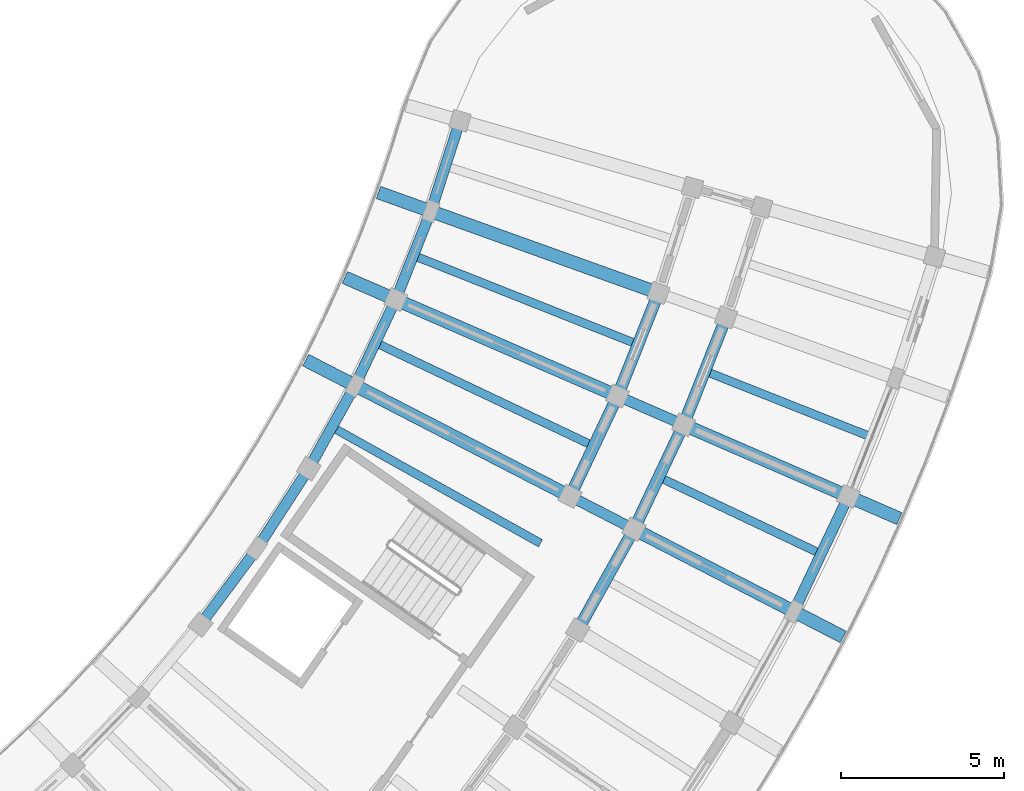
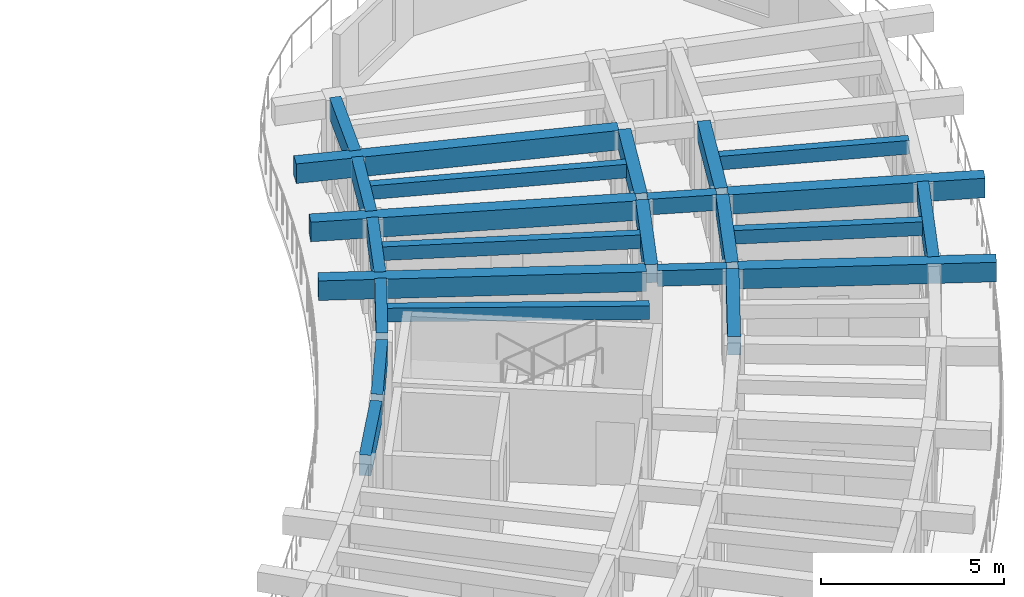
# One storey, part 32 of 96: 24 beams.
"""IFC4 building model written with IfcOpenShell, lengths in metres."""

from ifc_helpers import new_model, si_unit, direction, frame, origin, origin_2d, place, context, subcontext, project, spatial, rectangle, extrude, material, material_profile, profile_set, type_object, element, save


model = new_model("IFC4")

# Units and contexts
model_context = context("Model", 3, precision=1e-05, world=origin(), true_north=direction((0.0, 1.0)))
body_context = subcontext(model_context, "Body", "Model", "MODEL_VIEW")
ifc_project = project(units=[si_unit("LENGTHUNIT", "METRE"), si_unit("AREAUNIT", "SQUARE_METRE"), si_unit("VOLUMEUNIT", "CUBIC_METRE"), si_unit("PLANEANGLEUNIT", "RADIAN"), si_unit("MASSUNIT", "GRAM", prefix="KILO")], contexts=[model_context])

# Site, building, storey
site_placement = place(None, origin())
site = spatial("IfcSite", under=ifc_project, at=site_placement, CompositionType="ELEMENT")
building_placement = place(site_placement, origin())
building = spatial("IfcBuilding", under=site, at=building_placement, Name="Tanwirah Colonnade Gardens", CompositionType="ELEMENT")
storey_placement = place(building_placement, frame((0.0, 0.0, 12.199951171875)))
storey = spatial("IfcBuildingStorey", under=building, at=storey_placement, Name="L03", CompositionType="ELEMENT", Elevation=12.199951171875)

# Beams
ifc_material_1 = material(Name="Precast concrete C40/50", Category="concrete")
ifc_material_profile_1 = material_profile(ifc_material_1, rectangle(XDim=0.360107421875, YDim=0.610107421875, at=origin_2d()), Name="PC-BM 360x610")
ifc_profile_set_1 = profile_set([ifc_material_profile_1], Name="Precast concrete C40/50")
beam_type_1 = type_object("IfcBeamType", Name="BM-PC300", PredefinedType="BEAM", material=ifc_profile_set_1)
beam_1_placement = place(storey_placement, frame((167.40283203125, 36.793212890625, 2.800048828125), z_axis=(0.486712025227, 0.873562478875, 0.0), x_axis=(-0.873562478875, 0.486712025227, 0.0)))
element("IfcBeam", 1, at=beam_1_placement, inside=storey, type_object=beam_type_1, Name="Block D L03 Circumferential Beam 12-R2", PredefinedType="BEAM", context=body_context, shape_type="SweptSolid", body=[
    extrude(rectangle(XDim=0.360107421875, YDim=0.610107421875, at=origin_2d()), origin(), (0.0, 0.0, 1.0), 3.23681640625),
])
beam_2_placement = place(storey_placement, frame((167.159912109375, 40.894775390625, 2.800048828125), z_axis=(0.428520598641, 0.903532011907, 0.0), x_axis=(-0.903532011907, 0.428520598641, 0.0)))
element("IfcBeam", 2, at=beam_2_placement, inside=storey, type_object=beam_type_1, Name="Block D L03 Circumferential Beam 13-R1", PredefinedType="BEAM", context=body_context, shape_type="SweptSolid", body=[
    extrude(rectangle(XDim=0.360107421875, YDim=0.610107421875, at=origin_2d()), origin(), (0.0, 0.0, 1.0), 3.093017578125),
])
beam_3_placement = place(storey_placement, frame((169.11572265625, 39.887451171875, 2.800048828125), z_axis=(0.428562893949, 0.903511951183, 0.0), x_axis=(-0.903511951183, 0.428562893949, 0.0)))
element("IfcBeam", 3, at=beam_3_placement, inside=storey, type_object=beam_type_1, Name="Block D L03 Circumferential Beam 13-R2", PredefinedType="BEAM", context=body_context, shape_type="SweptSolid", body=[
    extrude(rectangle(XDim=0.360107421875, YDim=0.610107421875, at=origin_2d()), origin(), (0.0, 0.0, 1.0), 3.23681640625),
])
beam_4_placement = place(storey_placement, frame((168.604736328125, 43.96435546875, 2.800048828125), z_axis=(0.368544574427, 0.929610077753, 0.0), x_axis=(-0.929610077753, 0.368544574427, 0.0)))
element("IfcBeam", 4, at=beam_4_placement, inside=storey, type_object=beam_type_1, Name="Block D L03 Circumferential Beam 14-R1", PredefinedType="BEAM", context=body_context, shape_type="SweptSolid", body=[
    extrude(rectangle(XDim=0.360107421875, YDim=0.610107421875, at=origin_2d()), origin(), (0.0, 0.0, 1.0), 3.093017578125),
])
beam_5_placement = place(storey_placement, frame((170.622314453125, 43.087158203125, 2.800048828125), z_axis=(0.368527954052, 0.929616666741, 0.0), x_axis=(-0.929616666741, 0.368527954052, 0.0)))
element("IfcBeam", 5, at=beam_5_placement, inside=storey, type_object=beam_type_1, Name="Block D L03 Circumferential Beam 14-R2", PredefinedType="BEAM", context=body_context, shape_type="SweptSolid", body=[
    extrude(rectangle(XDim=0.360107421875, YDim=0.610107421875, at=origin_2d()), origin(), (0.0, 0.0, 1.0), 3.23681640625),
])
ifc_material_profile_2 = material_profile(ifc_material_1, rectangle(XDim=0.320068359375, YDim=0.52001953125, at=origin_2d()), Name="PC-BM 320x520")
ifc_profile_set_2 = profile_set([ifc_material_profile_2], Name="Precast concrete C40/50")
beam_type_2 = type_object("IfcBeamType", Name="BM-PC320", PredefinedType="BEAM", material=ifc_profile_set_2)
beam_6_placement = place(storey_placement, frame((167.22900390625, 40.690673828125, 2.844970703125), z_axis=(0.888965044602, -0.457975053334, 0.0), x_axis=(0.457975053334, 0.888965044602, 0.0)))
element("IfcBeam", 6, at=beam_6_placement, inside=storey, type_object=beam_type_2, Name="Block D L03 Corridor Tie Beam 13", PredefinedType="BEAM", context=body_context, shape_type="SweptSolid", body=[
    extrude(rectangle(XDim=0.320068359375, YDim=0.52001953125, at=origin_2d()), origin(), (0.0, 0.0, 1.0), 1.89990234375),
])
beam_7_placement = place(storey_placement, frame((168.68701171875, 43.76513671875, 2.844970703125), z_axis=(0.917025109963, -0.398829471952, 0.0), x_axis=(0.398829471952, 0.917025109963, 0.0)))
element("IfcBeam", 7, at=beam_7_placement, inside=storey, type_object=beam_type_2, Name="Block D L03 Corridor Tie Beam 14", PredefinedType="BEAM", context=body_context, shape_type="SweptSolid", body=[
    extrude(rectangle(XDim=0.320068359375, YDim=0.52001953125, at=origin_2d()), origin(), (0.0, 0.0, 1.0), 1.900146484375),
])
ifc_material_2 = material(Name="Precast concrete C45/55", Category="concrete")
ifc_material_profile_3 = material_profile(ifc_material_2, rectangle(XDim=0.39990234375, YDim=0.64990234375, at=origin_2d()), Name="PC-BM 400x650")
ifc_profile_set_3 = profile_set([ifc_material_profile_3], Name="Precast concrete C45/55")
beam_type_3 = type_object("IfcBeamType", Name="BM-PC400", PredefinedType="BEAM", material=ifc_profile_set_3)
beam_8_placement = place(storey_placement, frame((166.962158203125, 40.827880859375, 2.780029296875), z_axis=(-0.889022337846, 0.457863825619, 0.0), x_axis=(-0.457863825619, -0.889022337846, 0.0)))
element("IfcBeam", 8, at=beam_8_placement, inside=storey, type_object=beam_type_3, Name="Block D L03 Inner Radial Precast Girder 13", PredefinedType="BEAM", context=body_context, shape_type="SweptSolid", body=[
    extrude(rectangle(XDim=0.39990234375, YDim=0.64990234375, at=origin_2d()), origin(), (0.0, 0.0, 1.0), 8.949951171875),
])
beam_9_placement = place(storey_placement, frame((169.184814453125, 39.683349609375, 2.780029296875), z_axis=(0.889016420099, -0.457875315774, 0.0), x_axis=(0.457875315774, 0.889016420099, 0.0)))
element("IfcBeam", 9, at=beam_9_placement, inside=storey, type_object=beam_type_3, Name="Block D L03 Outer Radial Precast Girder 13", PredefinedType="BEAM", context=body_context, shape_type="SweptSolid", body=[
    extrude(rectangle(XDim=0.39990234375, YDim=0.64990234375, at=origin_2d()), origin(), (0.0, 0.0, 1.0), 7.050048828125),
])
beam_10_placement = place(storey_placement, frame((168.412109375, 43.884765625, 2.780029296875), z_axis=(-0.917069622575, 0.398727108872, 0.0), x_axis=(-0.398727108872, -0.917069622575, 0.0)))
element("IfcBeam", 10, at=beam_10_placement, inside=storey, type_object=beam_type_3, Name="Block D L03 Inner Radial Precast Girder 14", PredefinedType="BEAM", context=body_context, shape_type="SweptSolid", body=[
    extrude(rectangle(XDim=0.39990234375, YDim=0.64990234375, at=origin_2d()), origin(), (0.0, 0.0, 1.0), 8.949951171875),
])
beam_11_placement = place(storey_placement, frame((170.70458984375, 42.8876953125, 2.780029296875), z_axis=(0.91706895514, -0.398728643965, 0.0), x_axis=(0.398728643965, 0.91706895514, 0.0)))
element("IfcBeam", 11, at=beam_11_placement, inside=storey, type_object=beam_type_3, Name="Block D L03 Outer Radial Precast Girder 14", PredefinedType="BEAM", context=body_context, shape_type="SweptSolid", body=[
    extrude(rectangle(XDim=0.39990234375, YDim=0.64990234375, at=origin_2d()), origin(), (0.0, 0.0, 1.0), 7.050048828125),
])
beam_12_placement = place(storey_placement, frame((169.65869140625, 47.02978515625, 2.780029296875), z_axis=(-0.941180212187, 0.337905028356, 0.0), x_axis=(-0.337905028356, -0.941180212187, 0.0)))
element("IfcBeam", 12, at=beam_12_placement, inside=storey, type_object=beam_type_3, Name="Block D L03 Inner Radial Precast Girder 15", PredefinedType="BEAM", context=body_context, shape_type="SweptSolid", body=[
    extrude(rectangle(XDim=0.39990234375, YDim=0.64990234375, at=origin_2d()), origin(), (0.0, 0.0, 1.0), 8.94970703125),
])
ifc_material_profile_4 = material_profile(ifc_material_1, rectangle(XDim=0.2548828125, YDim=0.455078125, at=origin_2d()), Name="PC-JST 255x455")
ifc_profile_set_4 = profile_set([ifc_material_profile_4], Name="Precast concrete C40/50")
beam_type_4 = type_object("IfcBeamType", Name="JST-PC240", PredefinedType="JOIST", material=ifc_profile_set_4)
beam_13_placement = place(storey_placement, frame((159.9345703125, 42.80712890625, 2.87744140625), z_axis=(0.873559899034, -0.486716655561, 0.0), x_axis=(0.486716655561, 0.873559899034, 0.0)))
element("IfcBeam", 13, at=beam_13_placement, inside=storey, type_object=beam_type_4, Name="Block D L03 Inner Precast Floor Joist 12", PredefinedType="JOIST", context=body_context, shape_type="SweptSolid", body=[
    extrude(rectangle(XDim=0.2548828125, YDim=0.455078125, at=origin_2d()), origin(), (0.0, 0.0, 1.0), 7.159912109375),
])
beam_14_placement = place(storey_placement, frame((169.94384765625, 41.285888671875, 2.87744140625), z_axis=(0.903517509842, -0.428551174785, 0.0), x_axis=(0.428551174785, 0.903517509842, 0.0)))
element("IfcBeam", 14, at=beam_14_placement, inside=storey, type_object=beam_type_4, Name="Block D L03 Precast Floor Joist 13", PredefinedType="JOIST", context=body_context, shape_type="SweptSolid", body=[
    extrude(rectangle(XDim=0.2548828125, YDim=0.455078125, at=origin_2d()), origin(), (0.0, 0.0, 1.0), 5.260009765625),
])
beam_15_placement = place(storey_placement, frame((161.27001953125, 45.39990234375, 2.87744140625), z_axis=(0.903522492189, -0.428540670308, 0.0), x_axis=(0.428540670308, 0.903522492189, 0.0)))
element("IfcBeam", 15, at=beam_15_placement, inside=storey, type_object=beam_type_4, Name="Block D L03 Inner Precast Floor Joist 13", PredefinedType="JOIST", context=body_context, shape_type="SweptSolid", body=[
    extrude(rectangle(XDim=0.2548828125, YDim=0.455078125, at=origin_2d()), origin(), (0.0, 0.0, 1.0), 7.159912109375),
])
beam_16_placement = place(storey_placement, frame((171.357177734375, 44.53662109375, 2.87744140625), z_axis=(0.929618207145, -0.368524068338, 0.0), x_axis=(0.368524068338, 0.929618207145, 0.0)))
element("IfcBeam", 16, at=beam_16_placement, inside=storey, type_object=beam_type_4, Name="Block D L03 Precast Floor Joist 14", PredefinedType="JOIST", context=body_context, shape_type="SweptSolid", body=[
    extrude(rectangle(XDim=0.2548828125, YDim=0.455078125, at=origin_2d()), origin(), (0.0, 0.0, 1.0), 5.260009765625),
])
beam_17_placement = place(storey_placement, frame((162.432861328125, 48.07470703125, 2.87744140625), z_axis=(0.929619798141, -0.368520054956, 0.0), x_axis=(0.368520054956, 0.929619798141, 0.0)))
element("IfcBeam", 17, at=beam_17_placement, inside=storey, type_object=beam_type_4, Name="Block D L03 Inner Precast Floor Joist 14", PredefinedType="JOIST", context=body_context, shape_type="SweptSolid", body=[
    extrude(rectangle(XDim=0.2548828125, YDim=0.455078125, at=origin_2d()), origin(), (0.0, 0.0, 1.0), 7.16015625),
])
ifc_material_profile_5 = material_profile(ifc_material_1, rectangle(XDim=0.324951171875, YDim=0.68505859375, at=origin_2d()), Name="PC-SP 325x685")
ifc_profile_set_5 = profile_set([ifc_material_profile_5], Name="Precast concrete C40/50")
beam_type_5 = type_object("IfcBeamType", Name="SP-PC260", PredefinedType="SPANDREL", material=ifc_profile_set_5)
beam_18_placement = place(storey_placement, frame((155.87646484375, 36.94970703125, 2.762451171875), z_axis=(0.596565220249, 0.802564600508, 0.0), x_axis=(-0.802564600508, 0.596565220249, 0.0)))
element("IfcBeam", 18, at=beam_18_placement, inside=storey, type_object=beam_type_5, Name="Block D L03 Circumferential Beam 10-R0", PredefinedType="SPANDREL", context=body_context, shape_type="SweptSolid", body=[
    extrude(rectangle(XDim=0.324951171875, YDim=0.68505859375, at=origin_2d()), origin(), (0.0, 0.0, 1.0), 2.6083984375),
])
beam_19_placement = place(storey_placement, frame((157.603515625, 39.28955078125, 2.762451171875), z_axis=(0.542874837406, 0.83981361677, 0.0), x_axis=(-0.83981361677, 0.542874837406, 0.0)))
element("IfcBeam", 19, at=beam_19_placement, inside=storey, type_object=beam_type_5, Name="Block D L03 Circumferential Beam 11-R0", PredefinedType="SPANDREL", context=body_context, shape_type="SweptSolid", body=[
    extrude(rectangle(XDim=0.324951171875, YDim=0.68505859375, at=origin_2d()), origin(), (0.0, 0.0, 1.0), 2.60888671875),
])
beam_20_placement = place(storey_placement, frame((159.174072265625, 41.737548828125, 2.762451171875), z_axis=(0.486747049114, 0.873542964129, 0.0), x_axis=(-0.873542964129, 0.486747049114, 0.0)))
element("IfcBeam", 20, at=beam_20_placement, inside=storey, type_object=beam_type_5, Name="Block D L03 Circumferential Beam 12-R0", PredefinedType="SPANDREL", context=body_context, shape_type="SweptSolid", body=[
    extrude(rectangle(XDim=0.324951171875, YDim=0.68505859375, at=origin_2d()), origin(), (0.0, 0.0, 1.0), 2.608642578125),
])
beam_21_placement = place(storey_placement, frame((160.5810546875, 44.282958984375, 2.762451171875), z_axis=(0.428512709915, 0.903535753272, 0.0), x_axis=(-0.903535753272, 0.428512709915, 0.0)))
element("IfcBeam", 21, at=beam_21_placement, inside=storey, type_object=beam_type_5, Name="Block D L03 Circumferential Beam 13-R0", PredefinedType="SPANDREL", context=body_context, shape_type="SweptSolid", body=[
    extrude(rectangle(XDim=0.324951171875, YDim=0.68505859375, at=origin_2d()), origin(), (0.0, 0.0, 1.0), 2.60888671875),
])
beam_22_placement = place(storey_placement, frame((174.00537109375, 37.369140625, 2.762451171875), z_axis=(0.428518139447, 0.903533178231, 0.0), x_axis=(-0.903533178231, 0.428518139447, 0.0)))
element("IfcBeam", 22, at=beam_22_placement, inside=storey, type_object=beam_type_5, Name="Block D L03 Circumferential Beam 13-R3", PredefinedType="SPANDREL", context=body_context, shape_type="SweptSolid", body=[
    extrude(rectangle(XDim=0.324951171875, YDim=0.68505859375, at=origin_2d()), origin(), (0.0, 0.0, 1.0), 3.5966796875),
])
beam_23_placement = place(storey_placement, frame((161.818603515625, 46.9150390625, 2.762451171875), z_axis=(0.368549031306, 0.929608310808, 0.0), x_axis=(-0.929608310808, 0.368549031306, 0.0)))
element("IfcBeam", 23, at=beam_23_placement, inside=storey, type_object=beam_type_5, Name="Block D L03 Circumferential Beam 14-R0", PredefinedType="SPANDREL", context=body_context, shape_type="SweptSolid", body=[
    extrude(rectangle(XDim=0.324951171875, YDim=0.68505859375, at=origin_2d()), origin(), (0.0, 0.0, 1.0), 2.608642578125),
])
beam_24_placement = place(storey_placement, frame((162.88134765625, 49.622314453125, 2.762451171875), z_axis=(0.306948094518, 0.951726256479, 0.0), x_axis=(-0.951726256479, 0.306948094518, 0.0)))
element("IfcBeam", 24, at=beam_24_placement, inside=storey, type_object=beam_type_5, Name="Block D L03 Circumferential Beam 15-R0", PredefinedType="SPANDREL", context=body_context, shape_type="SweptSolid", body=[
    extrude(rectangle(XDim=0.324951171875, YDim=0.68505859375, at=origin_2d()), origin(), (0.0, 0.0, 1.0), 2.60888671875),
])

save(model, "model.ifc")
